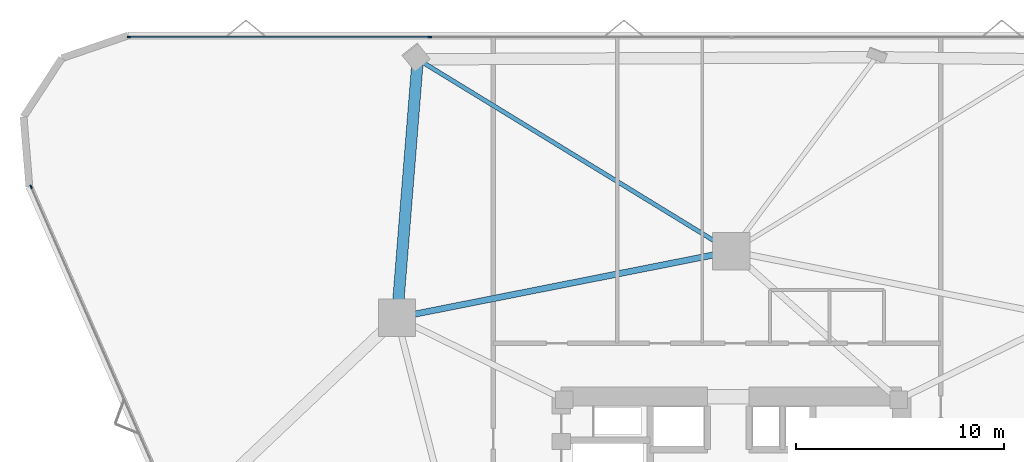
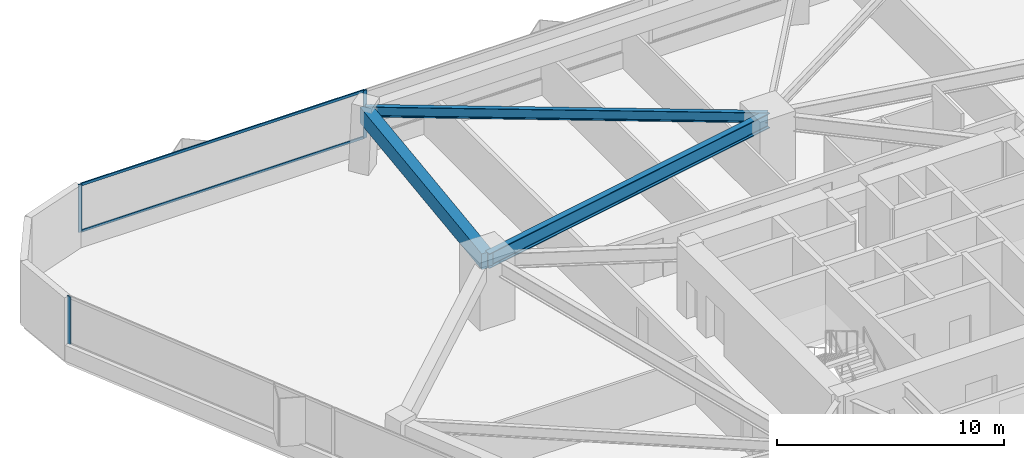
# One storey, part 11 of 21: 5 members, 3 beams, 2 elements without a shape of their own.
"""IFC4 building model written with IfcOpenShell, lengths in metres."""

from ifc_helpers import new_model, si_unit, direction, frame, origin, origin_2d, place, context, subcontext, project, spatial, rectangle, i_section, extrude, material, layer, layer_set, material_profile, profile_set, type_object, element, aggregate, save


model = new_model("IFC4")

# Units and contexts
model_context = context("Model", 3, precision=1e-05, world=origin(), true_north=direction((0.0, 1.0)))
body_context = subcontext(model_context, "Body", "Model", "MODEL_VIEW")
ifc_project = project(units=[si_unit("LENGTHUNIT", "METRE"), si_unit("AREAUNIT", "SQUARE_METRE"), si_unit("VOLUMEUNIT", "CUBIC_METRE"), si_unit("PLANEANGLEUNIT", "RADIAN"), si_unit("MASSUNIT", "GRAM", prefix="KILO")], contexts=[model_context])

# Site, building, storey
site_placement = place(None, origin())
site = spatial("IfcSite", under=ifc_project, at=site_placement, CompositionType="ELEMENT")
building_placement = place(site_placement, origin())
building = spatial("IfcBuilding", under=site, at=building_placement, Name="Talyreon Biosciences Tower", CompositionType="ELEMENT")
storey_placement = place(building_placement, frame((0.0, 0.0, 33.75)))
storey = spatial("IfcBuildingStorey", under=building, at=storey_placement, Name="L08", CompositionType="ELEMENT", Elevation=33.75)

# Curtain wall, member
ifc_material_1 = material(Name="Thermally broken aluminium and low-E glazing", Category="aluminium")
ifc_layer = layer(ifc_material_1, 0.195068359375)
ifc_layer_set = layer_set([ifc_layer], Name="Thermally broken aluminium and low-E glazing")
curtain_wall_type = type_object("IfcCurtainWallType", Name="CurtainWall_Zone1WetLab", PredefinedType="NOTDEFINED", material=ifc_layer_set)
curtain_wall_1_placement = place(storey_placement, origin())
curtain_wall_1 = element("IfcCurtainWall", 1, at=curtain_wall_1_placement, inside=storey, type_object=curtain_wall_type, Name="L08 Unitised Curtain Wall FCW-L08-00", PredefinedType="NOTDEFINED")
ifc_material_2 = material(Name="Anodised thermally broken aluminium", Category="aluminium")
ifc_material_profile_1 = material_profile(ifc_material_2, rectangle(XDim=0.06494140625, YDim=0.179931640625, at=origin_2d()), Name="ALUM MULLION 65x180")
ifc_profile_set_1 = profile_set([ifc_material_profile_1], Name="Anodised thermally broken aluminium")
member_type_1 = type_object("IfcMemberType", Name="CWMullion_65x180", PredefinedType="MULLION", material=ifc_profile_set_1)
member_1_placement = place(storey_placement, frame((32.277099609375, 84.9033203125, 0.81005859375), z_axis=(0.0, 0.0, 1.0), x_axis=(-0.915980408101, -0.401222995321, 0.0)))
member_1 = element("IfcMember", 2, at=member_1_placement, type_object=member_type_1, Name="CW2 mullion 6", PredefinedType="MULLION", context=body_context, shape_type="SweptSolid", body=[
    extrude(rectangle(XDim=0.06494140625, YDim=0.179931640625, at=origin_2d()), origin(), (0.0, 0.0, 1.0), 2.56494140625),
])
aggregate(curtain_wall_1, [member_1])

# Curtain wall, members
curtain_wall_2_placement = place(storey_placement, origin())
curtain_wall_2 = element("IfcCurtainWall", 3, at=curtain_wall_2_placement, inside=storey, type_object=curtain_wall_type, Name="L08 Unitised Curtain Wall FCW-L08-04", PredefinedType="NOTDEFINED")
member_2_placement = place(storey_placement, frame((36.986328125, 92.107421875, 0.81005859375), z_axis=(0.0, 0.0, 1.0), x_axis=(0.0, 1.0, 0.0)))
member_2 = element("IfcMember", 4, at=member_2_placement, type_object=member_type_1, Name="CW2 mullion 1", PredefinedType="MULLION", context=body_context, shape_type="SweptSolid", body=[
    extrude(rectangle(XDim=0.06494140625, YDim=0.179931640625, at=origin_2d()), origin(), (0.0, 0.0, 1.0), 2.56494140625),
])
member_3_placement = place(storey_placement, frame((51.47705078125, 92.107421875, 0.81005859375), z_axis=(0.0, 0.0, 1.0), x_axis=(0.0, 1.0, 0.0)))
member_3 = element("IfcMember", 5, at=member_3_placement, type_object=member_type_1, Name="CW2 mullion 2", PredefinedType="MULLION", context=body_context, shape_type="SweptSolid", body=[
    extrude(rectangle(XDim=0.06494140625, YDim=0.179931640625, at=origin_2d()), origin(), (0.0, 0.0, 1.0), 2.56494140625),
])
ifc_material_profile_2 = material_profile(ifc_material_2, rectangle(XDim=0.06494140625, YDim=0.139892578125, at=origin_2d()), Name="ALUM TRANSOM 65x140")
ifc_profile_set_2 = profile_set([ifc_material_profile_2], Name="Anodised thermally broken aluminium")
member_type_2 = type_object("IfcMemberType", Name="CWTransom_65x140", PredefinedType="USERDEFINED", material=ifc_profile_set_2)
member_4_placement = place(storey_placement, frame((37.018798828125, 92.107421875, 0.842529296875), z_axis=(1.0, 0.0, 0.0), x_axis=(0.0, 1.0, 0.0)))
member_4 = element("IfcMember", 6, at=member_4_placement, type_object=member_type_2, Name="CW2 transom 1.1", ObjectType="TRANSOM", PredefinedType="USERDEFINED", context=body_context, shape_type="SweptSolid", body=[
    extrude(rectangle(XDim=0.06494140625, YDim=0.139892578125, at=origin_2d()), origin(), (0.0, 0.0, 1.0), 14.425537109375),
])
member_5_placement = place(storey_placement, frame((37.018798828125, 92.107421875, 3.342529296875), z_axis=(1.0, 0.0, 0.0), x_axis=(0.0, 1.0, 0.0)))
member_5 = element("IfcMember", 7, at=member_5_placement, type_object=member_type_2, Name="CW2 transom 1.2", ObjectType="TRANSOM", PredefinedType="USERDEFINED", context=body_context, shape_type="SweptSolid", body=[
    extrude(rectangle(XDim=0.06494140625, YDim=0.139892578125, at=origin_2d()), origin(), (0.0, 0.0, 1.0), 14.425537109375),
])
aggregate(curtain_wall_2, [member_2, member_3, member_4, member_5])

# Beams
ifc_material_3 = material(Name="Precast concrete C45/55", Category="concrete")
ifc_material_profile_3 = material_profile(ifc_material_3, rectangle(XDim=0.550048828125, YDim=0.85009765625, at=origin_2d()), Name="RCB 550x850")
ifc_profile_set_3 = profile_set([ifc_material_profile_3], Name="Precast concrete C45/55")
beam_type_1 = type_object("IfcBeamType", Name="ExpressedSpandrel_550x850", PredefinedType="SPANDREL", material=ifc_profile_set_3)
beam_1_placement = place(storey_placement, frame((50.89599609375, 91.03759765625, 2.949951171875), z_axis=(-0.079997936686, -0.996795029144, 0.0), x_axis=(0.996795029144, -0.079997936686, 0.0)))
element("IfcBeam", 8, at=beam_1_placement, inside=storey, type_object=beam_type_1, Name="L08 Expressed Horizontal Concrete Spandrel 08", PredefinedType="SPANDREL", context=body_context, shape_type="SweptSolid", body=[
    extrude(rectangle(XDim=0.550048828125, YDim=0.85009765625, at=origin_2d()), origin(), (0.0, 0.0, 1.0), 12.47900390625),
])
ifc_material_4 = material(Name="Steel SM355", Category="steel")
ifc_material_profile_4 = material_profile(ifc_material_4, i_section(OverallWidth=0.300048828125, OverallDepth=0.800048828125, WebThickness=0.017578125, FlangeThickness=0.032958984375, FilletRadius=0.030029296875, at=origin_2d()), Name="HE800B")
ifc_profile_set_4 = profile_set([ifc_material_profile_4], Name="Steel SM355")
beam_type_2 = type_object("IfcBeamType", Name="SteelGirder_HE800B", PredefinedType="BEAM", material=ifc_profile_set_4)
beam_2_placement = place(storey_placement, frame((66.0, 81.788818359375, 2.97509765625), z_axis=(-0.980933730698, -0.194342522311, 0.0), x_axis=(0.194342522311, -0.980933730698, 0.0)))
element("IfcBeam", 9, at=beam_2_placement, inside=storey, type_object=beam_type_2, Name="L08 Mega-Ring Girder 4", PredefinedType="BEAM", context=body_context, shape_type="SweptSolid", body=[
    extrude(i_section(OverallWidth=0.300048828125, OverallDepth=0.800048828125, WebThickness=0.017578125, FlangeThickness=0.032958984375, FilletRadius=0.030029296875, at=origin_2d()), origin(), (0.0, 0.0, 1.0), 16.415283203125),
])
ifc_material_profile_5 = material_profile(ifc_material_4, i_section(OverallWidth=0.2099609375, OverallDepth=0.550048828125, WebThickness=0.010986328125, FlangeThickness=0.01708984375, FilletRadius=0.02392578125, at=origin_2d()), Name="IPE550")
ifc_profile_set_5 = profile_set([ifc_material_profile_5], Name="Steel SM355")
beam_type_3 = type_object("IfcBeamType", Name="SteelJoist_IPE550", PredefinedType="JOIST", material=ifc_profile_set_5)
beam_3_placement = place(storey_placement, frame((66.0, 81.788818359375, 3.10009765625), z_axis=(-0.852815346946, 0.522212585077, 0.0), x_axis=(-0.522212585077, -0.852815346946, 0.0)))
element("IfcBeam", 10, at=beam_3_placement, inside=storey, type_object=beam_type_3, Name="L08 Radial Composite Floor Joist PC-N2", PredefinedType="JOIST", context=body_context, shape_type="SweptSolid", body=[
    extrude(i_section(OverallWidth=0.2099609375, OverallDepth=0.550048828125, WebThickness=0.010986328125, FlangeThickness=0.01708984375, FilletRadius=0.02392578125, at=origin_2d()), origin(), (0.0, 0.0, 1.0), 17.710693359375),
])

save(model, "model.ifc")
